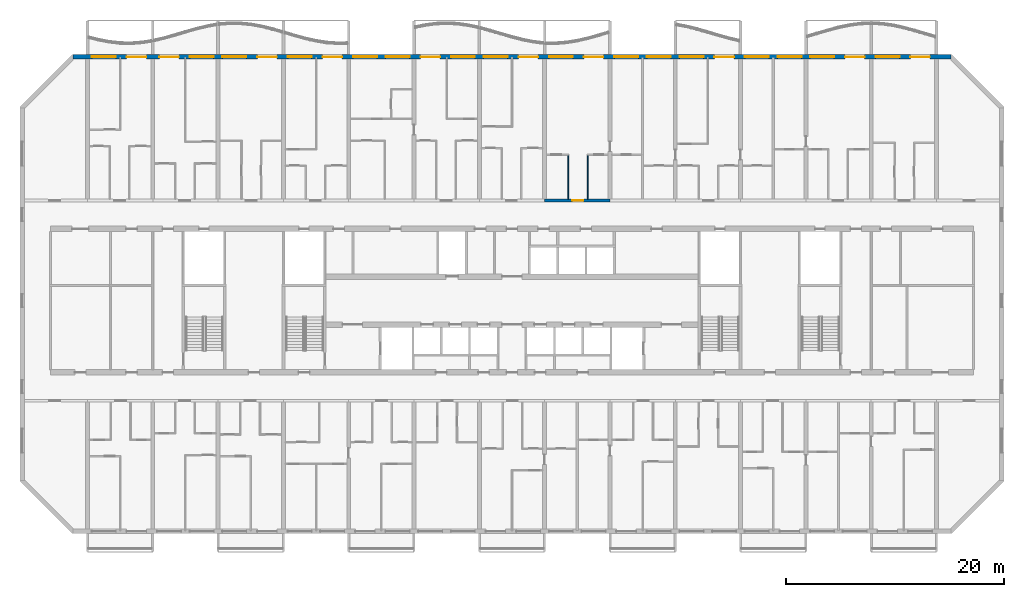
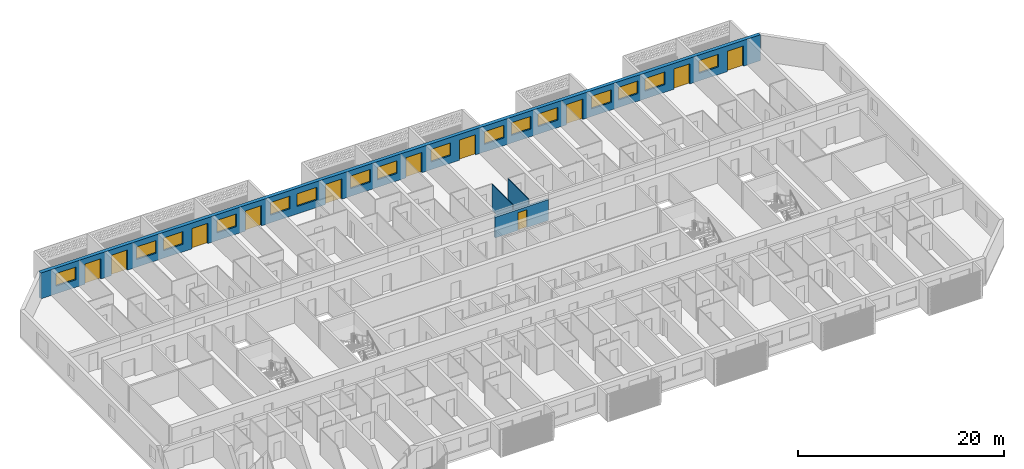
# One storey, part 12 of 26: 16 windows, 11 doors, 4 walls, 27 openings.
"""IFC4 building model written with IfcOpenShell, lengths in metres."""

from ifc_helpers import new_model, si_unit, direction, frame, frame_2d, origin, place, context, subcontext, project, spatial, rectangle, extrude, material, layer, layer_set, type_object, element, fill, save


model = new_model("IFC4")

# Units and contexts
model_context = context("Model", 3, precision=1e-05, world=origin(), true_north=direction((0.0, 1.0)))
body_context = subcontext(model_context, "Body", "Model", "MODEL_VIEW")
ifc_project = project(units=[si_unit("LENGTHUNIT", "METRE"), si_unit("AREAUNIT", "SQUARE_METRE"), si_unit("VOLUMEUNIT", "CUBIC_METRE"), si_unit("PLANEANGLEUNIT", "RADIAN"), si_unit("MASSUNIT", "GRAM", prefix="KILO")], contexts=[model_context])

# Site, building, storey
site_placement = place(None, origin())
site = spatial("IfcSite", under=ifc_project, at=site_placement, CompositionType="ELEMENT")
building_placement = place(site_placement, origin())
building = spatial("IfcBuilding", under=site, at=building_placement, Name="Poui Terraces", CompositionType="ELEMENT")
storey_placement = place(building_placement, frame((0.0, 0.0, 79.5)))
storey = spatial("IfcBuildingStorey", under=building, at=storey_placement, Name="L21", CompositionType="ELEMENT", Elevation=79.5)

# Wall, opening, door
ifc_material_1 = material(Name="Concrete 65 MPa", Category="concrete")
ifc_layer_1 = layer(ifc_material_1, 0.25)
ifc_layer_set_1 = layer_set([ifc_layer_1], Name="Concrete 65 MPa")
wall_type_1 = type_object("IfcWallType", Name="CORRIDOR WALL 250 65MPa", PredefinedType="SHEAR", material=ifc_layer_set_1)
wall_1_placement = place(storey_placement, frame((54.0, 30.39990234375, 0.0), z_axis=(0.0, 0.0, 1.0), x_axis=(1.0, 0.0, 0.0)))
wall_1 = element("IfcWall", 1, at=wall_1_placement, inside=storey, type_object=wall_type_1, Name="CORRIDOR WALL LINE E BAY 9", PredefinedType="SHEAR", context=body_context, shape_type="SweptSolid", body=[
    extrude(rectangle(XDim=6.0, YDim=0.25, at=frame_2d((3.0, 0.0))), origin(), (0.0, 0.0, 1.0), 2.4599609375),
])
opening_1_placement = place(wall_1_placement, frame((2.550048828125, 0.0, 0.0)))
opening_1 = element("IfcOpeningElement", 2, at=opening_1_placement, cuts=wall_1, Name="Opening FD30S", PredefinedType="OPENING", context=body_context, shape_type="SweptSolid", body=[
    extrude(rectangle(XDim=1.0, YDim=2.10009765625, at=frame_2d((0.5, 1.050048828125))), frame((0.0, 0.135009765625, 0.0), z_axis=(0.0, -1.0, 0.0), x_axis=(1.0, 0.0, 0.0)), (0.0, 0.0, 1.0), 0.27001953125),
])
ifc_material_2 = material(Name="Steel fire door", Category="steel")
door_type_1 = type_object("IfcDoorType", Name="FLAT ENTRANCE DOOR 1000 X 2100", OperationType="NOTDEFINED", PredefinedType="DOOR", material=ifc_material_2)
door_1_placement = place(opening_1_placement, origin())
door_1 = element("IfcDoor", 3, at=door_1_placement, inside=storey, type_object=door_type_1, Name="FLAT ENTRANCE DOOR 063", OperationType="SINGLE_SWING_RIGHT", OverallHeight=2.10009765625, OverallWidth=1.0, PredefinedType="DOOR", context=body_context, shape_type="SweptSolid", body=[
    extrude(rectangle(XDim=1.0, YDim=2.10009765625, at=frame_2d((0.5, 1.050048828125))), frame((0.0, 0.02490234375, 0.0), z_axis=(0.0, -1.0, 0.0), x_axis=(1.0, 0.0, 0.0)), (0.0, 0.0, 1.0), 0.050048828125),
])
fill(opening_1, door_1)

# Wall, openings, doors, windows
ifc_material_3 = material(Name="Precast concrete 40 MPa", Category="concrete")
ifc_layer_2 = layer(ifc_material_3, 0.39990234375)
ifc_layer_set_2 = layer_set([ifc_layer_2], Name="Precast concrete 40 MPa")
wall_type_2 = type_object("IfcWallType", Name="EXTERNAL WALL 400", PredefinedType="STANDARD", material=ifc_layer_set_2)
wall_2_placement = place(storey_placement, frame((91.317138671875, 43.60009765625, 0.0), z_axis=(0.0, 0.0, 1.0), x_axis=(-1.0, 0.0, 0.0)))
wall_2 = element("IfcWall", 4, at=wall_2_placement, inside=storey, type_object=wall_type_2, Name="EXTERNAL WALL N", PredefinedType="STANDARD", context=body_context, shape_type="SweptSolid", body=[
    extrude(rectangle(XDim=80.63427734375, YDim=0.39990234375, at=frame_2d((40.317138671875, 0.0))), origin(), (0.0, 0.0, 1.0), 3.06005859375),
])
opening_2_placement = place(wall_2_placement, frame((76.71728515625, 0.0, 0.89990234375)))
opening_2 = element("IfcOpeningElement", 5, at=opening_2_placement, cuts=wall_2, Name="Opening W1", PredefinedType="OPENING", context=body_context, shape_type="SweptSolid", body=[
    extrude(rectangle(XDim=2.199951171875, YDim=1.5, at=frame_2d((1.10009765625, 0.75))), frame((0.0, 0.2099609375, 0.0), z_axis=(0.0, -1.0, 0.0), x_axis=(1.0, 0.0, 0.0)), (0.0, 0.0, 1.0), 0.419921875),
])
opening_3_placement = place(wall_2_placement, frame((73.917236328125, 0.0, 0.0)))
opening_3 = element("IfcOpeningElement", 6, at=opening_3_placement, cuts=wall_2, Name="Opening BD1", PredefinedType="OPENING", context=body_context, shape_type="SweptSolid", body=[
    extrude(rectangle(XDim=1.800048828125, YDim=2.39990234375, at=frame_2d((0.89990234375, 1.199951171875))), frame((0.0, 0.2099609375, 0.0), z_axis=(0.0, -1.0, 0.0), x_axis=(1.0, 0.0, 0.0)), (0.0, 0.0, 1.0), 0.419921875),
])
opening_4_placement = place(wall_2_placement, frame((70.917236328125, 0.0, 0.0)))
opening_4 = element("IfcOpeningElement", 7, at=opening_4_placement, cuts=wall_2, Name="Opening BD1", PredefinedType="OPENING", context=body_context, shape_type="SweptSolid", body=[
    extrude(rectangle(XDim=1.800048828125, YDim=2.39990234375, at=frame_2d((0.89990234375, 1.199951171875))), frame((0.0, 0.2099609375, 0.0), z_axis=(0.0, -1.0, 0.0), x_axis=(1.0, 0.0, 0.0)), (0.0, 0.0, 1.0), 0.419921875),
])
opening_5_placement = place(wall_2_placement, frame((67.71728515625, 0.0, 0.89990234375)))
opening_5 = element("IfcOpeningElement", 8, at=opening_5_placement, cuts=wall_2, Name="Opening W1", PredefinedType="OPENING", context=body_context, shape_type="SweptSolid", body=[
    extrude(rectangle(XDim=2.199951171875, YDim=1.5, at=frame_2d((1.10009765625, 0.75))), frame((0.0, 0.2099609375, 0.0), z_axis=(0.0, -1.0, 0.0), x_axis=(1.0, 0.0, 0.0)), (0.0, 0.0, 1.0), 0.419921875),
])
opening_6_placement = place(wall_2_placement, frame((64.71728515625, 0.0, 0.89990234375)))
opening_6 = element("IfcOpeningElement", 9, at=opening_6_placement, cuts=wall_2, Name="Opening W1", PredefinedType="OPENING", context=body_context, shape_type="SweptSolid", body=[
    extrude(rectangle(XDim=2.199951171875, YDim=1.5, at=frame_2d((1.10009765625, 0.75))), frame((0.0, 0.2099609375, 0.0), z_axis=(0.0, -1.0, 0.0), x_axis=(1.0, 0.0, 0.0)), (0.0, 0.0, 1.0), 0.419921875),
])
opening_7_placement = place(wall_2_placement, frame((61.917236328125, 0.0, 0.0)))
opening_7 = element("IfcOpeningElement", 10, at=opening_7_placement, cuts=wall_2, Name="Opening BD1", PredefinedType="OPENING", context=body_context, shape_type="SweptSolid", body=[
    extrude(rectangle(XDim=1.800048828125, YDim=2.39990234375, at=frame_2d((0.89990234375, 1.199951171875))), frame((0.0, 0.2099609375, 0.0), z_axis=(0.0, -1.0, 0.0), x_axis=(1.0, 0.0, 0.0)), (0.0, 0.0, 1.0), 0.419921875),
])
opening_8_placement = place(wall_2_placement, frame((58.71728515625, 0.0, 0.89990234375)))
opening_8 = element("IfcOpeningElement", 11, at=opening_8_placement, cuts=wall_2, Name="Opening W1", PredefinedType="OPENING", context=body_context, shape_type="SweptSolid", body=[
    extrude(rectangle(XDim=2.199951171875, YDim=1.5, at=frame_2d((1.10009765625, 0.75))), frame((0.0, 0.2099609375, 0.0), z_axis=(0.0, -1.0, 0.0), x_axis=(1.0, 0.0, 0.0)), (0.0, 0.0, 1.0), 0.419921875),
])
opening_9_placement = place(wall_2_placement, frame((55.917236328125, 0.0, 0.0)))
opening_9 = element("IfcOpeningElement", 12, at=opening_9_placement, cuts=wall_2, Name="Opening BD1", PredefinedType="OPENING", context=body_context, shape_type="SweptSolid", body=[
    extrude(rectangle(XDim=1.800048828125, YDim=2.39990234375, at=frame_2d((0.89990234375, 1.199951171875))), frame((0.0, 0.2099609375, 0.0), z_axis=(0.0, -1.0, 0.0), x_axis=(1.0, 0.0, 0.0)), (0.0, 0.0, 1.0), 0.419921875),
])
opening_10_placement = place(wall_2_placement, frame((52.71728515625, 0.0, 0.89990234375)))
opening_10 = element("IfcOpeningElement", 13, at=opening_10_placement, cuts=wall_2, Name="Opening W1", PredefinedType="OPENING", context=body_context, shape_type="SweptSolid", body=[
    extrude(rectangle(XDim=2.199951171875, YDim=1.5, at=frame_2d((1.10009765625, 0.75))), frame((0.0, 0.2099609375, 0.0), z_axis=(0.0, -1.0, 0.0), x_axis=(1.0, 0.0, 0.0)), (0.0, 0.0, 1.0), 0.419921875),
])
opening_11_placement = place(wall_2_placement, frame((49.71728515625, 0.0, 0.89990234375)))
opening_11 = element("IfcOpeningElement", 14, at=opening_11_placement, cuts=wall_2, Name="Opening W1", PredefinedType="OPENING", context=body_context, shape_type="SweptSolid", body=[
    extrude(rectangle(XDim=2.199951171875, YDim=1.5, at=frame_2d((1.10009765625, 0.75))), frame((0.0, 0.2099609375, 0.0), z_axis=(0.0, -1.0, 0.0), x_axis=(1.0, 0.0, 0.0)), (0.0, 0.0, 1.0), 0.419921875),
])
opening_12_placement = place(wall_2_placement, frame((46.917236328125, 0.0, 0.0)))
opening_12 = element("IfcOpeningElement", 15, at=opening_12_placement, cuts=wall_2, Name="Opening BD1", PredefinedType="OPENING", context=body_context, shape_type="SweptSolid", body=[
    extrude(rectangle(XDim=1.800048828125, YDim=2.39990234375, at=frame_2d((0.89990234375, 1.199951171875))), frame((0.0, 0.2099609375, 0.0), z_axis=(0.0, -1.0, 0.0), x_axis=(1.0, 0.0, 0.0)), (0.0, 0.0, 1.0), 0.419921875),
])
opening_13_placement = place(wall_2_placement, frame((43.71728515625, 0.0, 0.89990234375)))
opening_13 = element("IfcOpeningElement", 16, at=opening_13_placement, cuts=wall_2, Name="Opening W1", PredefinedType="OPENING", context=body_context, shape_type="SweptSolid", body=[
    extrude(rectangle(XDim=2.199951171875, YDim=1.5, at=frame_2d((1.10009765625, 0.75))), frame((0.0, 0.2099609375, 0.0), z_axis=(0.0, -1.0, 0.0), x_axis=(1.0, 0.0, 0.0)), (0.0, 0.0, 1.0), 0.419921875),
])
opening_14_placement = place(wall_2_placement, frame((40.71728515625, 0.0, 0.89990234375)))
opening_14 = element("IfcOpeningElement", 17, at=opening_14_placement, cuts=wall_2, Name="Opening W1", PredefinedType="OPENING", context=body_context, shape_type="SweptSolid", body=[
    extrude(rectangle(XDim=2.199951171875, YDim=1.5, at=frame_2d((1.10009765625, 0.75))), frame((0.0, 0.2099609375, 0.0), z_axis=(0.0, -1.0, 0.0), x_axis=(1.0, 0.0, 0.0)), (0.0, 0.0, 1.0), 0.419921875),
])
opening_15_placement = place(wall_2_placement, frame((37.917236328125, 0.0, 0.0)))
opening_15 = element("IfcOpeningElement", 18, at=opening_15_placement, cuts=wall_2, Name="Opening BD1", PredefinedType="OPENING", context=body_context, shape_type="SweptSolid", body=[
    extrude(rectangle(XDim=1.800048828125, YDim=2.39990234375, at=frame_2d((0.89990234375, 1.199951171875))), frame((0.0, 0.2099609375, 0.0), z_axis=(0.0, -1.0, 0.0), x_axis=(1.0, 0.0, 0.0)), (0.0, 0.0, 1.0), 0.419921875),
])
opening_16_placement = place(wall_2_placement, frame((34.71728515625, 0.0, 0.89990234375)))
opening_16 = element("IfcOpeningElement", 19, at=opening_16_placement, cuts=wall_2, Name="Opening W1", PredefinedType="OPENING", context=body_context, shape_type="SweptSolid", body=[
    extrude(rectangle(XDim=2.199951171875, YDim=1.5, at=frame_2d((1.10009765625, 0.75))), frame((0.0, 0.2099609375, 0.0), z_axis=(0.0, -1.0, 0.0), x_axis=(1.0, 0.0, 0.0)), (0.0, 0.0, 1.0), 0.419921875),
])
opening_17_placement = place(wall_2_placement, frame((31.917236328125, 0.0, 0.0)))
opening_17 = element("IfcOpeningElement", 20, at=opening_17_placement, cuts=wall_2, Name="Opening BD1", PredefinedType="OPENING", context=body_context, shape_type="SweptSolid", body=[
    extrude(rectangle(XDim=1.800048828125, YDim=2.39990234375, at=frame_2d((0.89990234375, 1.199951171875))), frame((0.0, 0.2099609375, 0.0), z_axis=(0.0, -1.0, 0.0), x_axis=(1.0, 0.0, 0.0)), (0.0, 0.0, 1.0), 0.419921875),
])
opening_18_placement = place(wall_2_placement, frame((28.71728515625, 0.0, 0.89990234375)))
opening_18 = element("IfcOpeningElement", 21, at=opening_18_placement, cuts=wall_2, Name="Opening W1", PredefinedType="OPENING", context=body_context, shape_type="SweptSolid", body=[
    extrude(rectangle(XDim=2.199951171875, YDim=1.5, at=frame_2d((1.10009765625, 0.75))), frame((0.0, 0.2099609375, 0.0), z_axis=(0.0, -1.0, 0.0), x_axis=(1.0, 0.0, 0.0)), (0.0, 0.0, 1.0), 0.419921875),
])
opening_19_placement = place(wall_2_placement, frame((25.71728515625, 0.0, 0.89990234375)))
opening_19 = element("IfcOpeningElement", 22, at=opening_19_placement, cuts=wall_2, Name="Opening W1", PredefinedType="OPENING", context=body_context, shape_type="SweptSolid", body=[
    extrude(rectangle(XDim=2.199951171875, YDim=1.5, at=frame_2d((1.10009765625, 0.75))), frame((0.0, 0.2099609375, 0.0), z_axis=(0.0, -1.0, 0.0), x_axis=(1.0, 0.0, 0.0)), (0.0, 0.0, 1.0), 0.419921875),
])
opening_20_placement = place(wall_2_placement, frame((22.71728515625, 0.0, 0.89990234375)))
opening_20 = element("IfcOpeningElement", 23, at=opening_20_placement, cuts=wall_2, Name="Opening W1", PredefinedType="OPENING", context=body_context, shape_type="SweptSolid", body=[
    extrude(rectangle(XDim=2.199951171875, YDim=1.5, at=frame_2d((1.10009765625, 0.75))), frame((0.0, 0.2099609375, 0.0), z_axis=(0.0, -1.0, 0.0), x_axis=(1.0, 0.0, 0.0)), (0.0, 0.0, 1.0), 0.419921875),
])
opening_21_placement = place(wall_2_placement, frame((19.917236328125, 0.0, 0.0)))
opening_21 = element("IfcOpeningElement", 24, at=opening_21_placement, cuts=wall_2, Name="Opening BD1", PredefinedType="OPENING", context=body_context, shape_type="SweptSolid", body=[
    extrude(rectangle(XDim=1.800048828125, YDim=2.39990234375, at=frame_2d((0.89990234375, 1.199951171875))), frame((0.0, 0.2099609375, 0.0), z_axis=(0.0, -1.0, 0.0), x_axis=(1.0, 0.0, 0.0)), (0.0, 0.0, 1.0), 0.419921875),
])
opening_22_placement = place(wall_2_placement, frame((16.71728515625, 0.0, 0.89990234375)))
opening_22 = element("IfcOpeningElement", 25, at=opening_22_placement, cuts=wall_2, Name="Opening W1", PredefinedType="OPENING", context=body_context, shape_type="SweptSolid", body=[
    extrude(rectangle(XDim=2.199951171875, YDim=1.5, at=frame_2d((1.10009765625, 0.75))), frame((0.0, 0.2099609375, 0.0), z_axis=(0.0, -1.0, 0.0), x_axis=(1.0, 0.0, 0.0)), (0.0, 0.0, 1.0), 0.419921875),
])
opening_23_placement = place(wall_2_placement, frame((13.71728515625, 0.0, 0.89990234375)))
opening_23 = element("IfcOpeningElement", 26, at=opening_23_placement, cuts=wall_2, Name="Opening W1", PredefinedType="OPENING", context=body_context, shape_type="SweptSolid", body=[
    extrude(rectangle(XDim=2.199951171875, YDim=1.5, at=frame_2d((1.10009765625, 0.75))), frame((0.0, 0.2099609375, 0.0), z_axis=(0.0, -1.0, 0.0), x_axis=(1.0, 0.0, 0.0)), (0.0, 0.0, 1.0), 0.419921875),
])
opening_24_placement = place(wall_2_placement, frame((10.71728515625, 0.0, 0.89990234375)))
opening_24 = element("IfcOpeningElement", 27, at=opening_24_placement, cuts=wall_2, Name="Opening W1", PredefinedType="OPENING", context=body_context, shape_type="SweptSolid", body=[
    extrude(rectangle(XDim=2.199951171875, YDim=1.5, at=frame_2d((1.10009765625, 0.75))), frame((0.0, 0.2099609375, 0.0), z_axis=(0.0, -1.0, 0.0), x_axis=(1.0, 0.0, 0.0)), (0.0, 0.0, 1.0), 0.419921875),
])
opening_25_placement = place(wall_2_placement, frame((7.917236328125, 0.0, 0.0)))
opening_25 = element("IfcOpeningElement", 28, at=opening_25_placement, cuts=wall_2, Name="Opening BD1", PredefinedType="OPENING", context=body_context, shape_type="SweptSolid", body=[
    extrude(rectangle(XDim=1.800048828125, YDim=2.39990234375, at=frame_2d((0.89990234375, 1.199951171875))), frame((0.0, 0.2099609375, 0.0), z_axis=(0.0, -1.0, 0.0), x_axis=(1.0, 0.0, 0.0)), (0.0, 0.0, 1.0), 0.419921875),
])
opening_26_placement = place(wall_2_placement, frame((4.71728515625, 0.0, 0.89990234375)))
opening_26 = element("IfcOpeningElement", 29, at=opening_26_placement, cuts=wall_2, Name="Opening W1", PredefinedType="OPENING", context=body_context, shape_type="SweptSolid", body=[
    extrude(rectangle(XDim=2.199951171875, YDim=1.5, at=frame_2d((1.10009765625, 0.75))), frame((0.0, 0.2099609375, 0.0), z_axis=(0.0, -1.0, 0.0), x_axis=(1.0, 0.0, 0.0)), (0.0, 0.0, 1.0), 0.419921875),
])
opening_27_placement = place(wall_2_placement, frame((1.917236328125, 0.0, 0.0)))
opening_27 = element("IfcOpeningElement", 30, at=opening_27_placement, cuts=wall_2, Name="Opening BD1", PredefinedType="OPENING", context=body_context, shape_type="SweptSolid", body=[
    extrude(rectangle(XDim=1.800048828125, YDim=2.39990234375, at=frame_2d((0.89990234375, 1.199951171875))), frame((0.0, 0.2099609375, 0.0), z_axis=(0.0, -1.0, 0.0), x_axis=(1.0, 0.0, 0.0)), (0.0, 0.0, 1.0), 0.419921875),
])
ifc_material_4 = material(Name="Clear glass in aluminium frame", Category="aluminium")
door_type_2 = type_object("IfcDoorType", Name="BALCONY DOOR 1800X2400", OperationType="DOUBLE_DOOR_SLIDING", PredefinedType="DOOR", material=ifc_material_4)
door_2_placement = place(opening_3_placement, origin())
door_2 = element("IfcDoor", 31, at=door_2_placement, inside=storey, type_object=door_type_2, Name="BD1 BALCONY DOOR", OperationType="DOUBLE_DOOR_SLIDING", OverallHeight=2.39990234375, OverallWidth=1.800048828125, PredefinedType="DOOR", context=body_context, shape_type="SweptSolid", body=[
    extrude(rectangle(XDim=1.800048828125, YDim=2.39990234375, at=frame_2d((0.89990234375, 1.199951171875))), frame((0.0, 0.02490234375, 0.0), z_axis=(0.0, -1.0, 0.0), x_axis=(1.0, 0.0, 0.0)), (0.0, 0.0, 1.0), 0.050048828125),
])
fill(opening_3, door_2)
door_3_placement = place(opening_4_placement, origin())
door_3 = element("IfcDoor", 32, at=door_3_placement, inside=storey, type_object=door_type_2, Name="BD1 BALCONY DOOR", OperationType="DOUBLE_DOOR_SLIDING", OverallHeight=2.39990234375, OverallWidth=1.800048828125, PredefinedType="DOOR", context=body_context, shape_type="SweptSolid", body=[
    extrude(rectangle(XDim=1.800048828125, YDim=2.39990234375, at=frame_2d((0.89990234375, 1.199951171875))), frame((0.0, 0.02490234375, 0.0), z_axis=(0.0, -1.0, 0.0), x_axis=(1.0, 0.0, 0.0)), (0.0, 0.0, 1.0), 0.050048828125),
])
fill(opening_4, door_3)
door_4_placement = place(opening_7_placement, origin())
door_4 = element("IfcDoor", 33, at=door_4_placement, inside=storey, type_object=door_type_2, Name="BD1 BALCONY DOOR", OperationType="DOUBLE_DOOR_SLIDING", OverallHeight=2.39990234375, OverallWidth=1.800048828125, PredefinedType="DOOR", context=body_context, shape_type="SweptSolid", body=[
    extrude(rectangle(XDim=1.800048828125, YDim=2.39990234375, at=frame_2d((0.89990234375, 1.199951171875))), frame((0.0, 0.02490234375, 0.0), z_axis=(0.0, -1.0, 0.0), x_axis=(1.0, 0.0, 0.0)), (0.0, 0.0, 1.0), 0.050048828125),
])
fill(opening_7, door_4)
door_5_placement = place(opening_9_placement, origin())
door_5 = element("IfcDoor", 34, at=door_5_placement, inside=storey, type_object=door_type_2, Name="BD1 BALCONY DOOR", OperationType="DOUBLE_DOOR_SLIDING", OverallHeight=2.39990234375, OverallWidth=1.800048828125, PredefinedType="DOOR", context=body_context, shape_type="SweptSolid", body=[
    extrude(rectangle(XDim=1.800048828125, YDim=2.39990234375, at=frame_2d((0.89990234375, 1.199951171875))), frame((0.0, 0.02490234375, 0.0), z_axis=(0.0, -1.0, 0.0), x_axis=(1.0, 0.0, 0.0)), (0.0, 0.0, 1.0), 0.050048828125),
])
fill(opening_9, door_5)
door_6_placement = place(opening_12_placement, origin())
door_6 = element("IfcDoor", 35, at=door_6_placement, inside=storey, type_object=door_type_2, Name="BD1 BALCONY DOOR", OperationType="DOUBLE_DOOR_SLIDING", OverallHeight=2.39990234375, OverallWidth=1.800048828125, PredefinedType="DOOR", context=body_context, shape_type="SweptSolid", body=[
    extrude(rectangle(XDim=1.800048828125, YDim=2.39990234375, at=frame_2d((0.89990234375, 1.199951171875))), frame((0.0, 0.02490234375, 0.0), z_axis=(0.0, -1.0, 0.0), x_axis=(1.0, 0.0, 0.0)), (0.0, 0.0, 1.0), 0.050048828125),
])
fill(opening_12, door_6)
door_7_placement = place(opening_15_placement, origin())
door_7 = element("IfcDoor", 36, at=door_7_placement, inside=storey, type_object=door_type_2, Name="BD1 BALCONY DOOR", OperationType="DOUBLE_DOOR_SLIDING", OverallHeight=2.39990234375, OverallWidth=1.800048828125, PredefinedType="DOOR", context=body_context, shape_type="SweptSolid", body=[
    extrude(rectangle(XDim=1.800048828125, YDim=2.39990234375, at=frame_2d((0.89990234375, 1.199951171875))), frame((0.0, 0.02490234375, 0.0), z_axis=(0.0, -1.0, 0.0), x_axis=(1.0, 0.0, 0.0)), (0.0, 0.0, 1.0), 0.050048828125),
])
fill(opening_15, door_7)
door_8_placement = place(opening_17_placement, origin())
door_8 = element("IfcDoor", 37, at=door_8_placement, inside=storey, type_object=door_type_2, Name="BD1 BALCONY DOOR", OperationType="DOUBLE_DOOR_SLIDING", OverallHeight=2.39990234375, OverallWidth=1.800048828125, PredefinedType="DOOR", context=body_context, shape_type="SweptSolid", body=[
    extrude(rectangle(XDim=1.800048828125, YDim=2.39990234375, at=frame_2d((0.89990234375, 1.199951171875))), frame((0.0, 0.02490234375, 0.0), z_axis=(0.0, -1.0, 0.0), x_axis=(1.0, 0.0, 0.0)), (0.0, 0.0, 1.0), 0.050048828125),
])
fill(opening_17, door_8)
door_9_placement = place(opening_21_placement, origin())
door_9 = element("IfcDoor", 38, at=door_9_placement, inside=storey, type_object=door_type_2, Name="BD1 BALCONY DOOR", OperationType="DOUBLE_DOOR_SLIDING", OverallHeight=2.39990234375, OverallWidth=1.800048828125, PredefinedType="DOOR", context=body_context, shape_type="SweptSolid", body=[
    extrude(rectangle(XDim=1.800048828125, YDim=2.39990234375, at=frame_2d((0.89990234375, 1.199951171875))), frame((0.0, 0.02490234375, 0.0), z_axis=(0.0, -1.0, 0.0), x_axis=(1.0, 0.0, 0.0)), (0.0, 0.0, 1.0), 0.050048828125),
])
fill(opening_21, door_9)
door_10_placement = place(opening_25_placement, origin())
door_10 = element("IfcDoor", 39, at=door_10_placement, inside=storey, type_object=door_type_2, Name="BD1 BALCONY DOOR", OperationType="DOUBLE_DOOR_SLIDING", OverallHeight=2.39990234375, OverallWidth=1.800048828125, PredefinedType="DOOR", context=body_context, shape_type="SweptSolid", body=[
    extrude(rectangle(XDim=1.800048828125, YDim=2.39990234375, at=frame_2d((0.89990234375, 1.199951171875))), frame((0.0, 0.02490234375, 0.0), z_axis=(0.0, -1.0, 0.0), x_axis=(1.0, 0.0, 0.0)), (0.0, 0.0, 1.0), 0.050048828125),
])
fill(opening_25, door_10)
door_11_placement = place(opening_27_placement, origin())
door_11 = element("IfcDoor", 40, at=door_11_placement, inside=storey, type_object=door_type_2, Name="BD1 BALCONY DOOR", OperationType="DOUBLE_DOOR_SLIDING", OverallHeight=2.39990234375, OverallWidth=1.800048828125, PredefinedType="DOOR", context=body_context, shape_type="SweptSolid", body=[
    extrude(rectangle(XDim=1.800048828125, YDim=2.39990234375, at=frame_2d((0.89990234375, 1.199951171875))), frame((0.0, 0.02490234375, 0.0), z_axis=(0.0, -1.0, 0.0), x_axis=(1.0, 0.0, 0.0)), (0.0, 0.0, 1.0), 0.050048828125),
])
fill(opening_27, door_11)
window_type = type_object("IfcWindowType", Name="WINDOW 2200X1500", PartitioningType="DOUBLE_PANEL_HORIZONTAL", PredefinedType="WINDOW", material=ifc_material_4)
window_1_placement = place(opening_2_placement, origin())
window_1 = element("IfcWindow", 41, at=window_1_placement, inside=storey, type_object=window_type, Name="W1 WINDOW", OverallHeight=1.5, OverallWidth=2.199951171875, PartitioningType="DOUBLE_PANEL_HORIZONTAL", PredefinedType="WINDOW", context=body_context, shape_type="SweptSolid", body=[
    extrude(rectangle(XDim=2.199951171875, YDim=1.5, at=frame_2d((1.10009765625, 0.75))), frame((0.0, 0.030029296875, 0.0), z_axis=(0.0, -1.0, 0.0), x_axis=(1.0, 0.0, 0.0)), (0.0, 0.0, 1.0), 0.06005859375),
])
fill(opening_2, window_1)
window_2_placement = place(opening_5_placement, origin())
window_2 = element("IfcWindow", 42, at=window_2_placement, inside=storey, type_object=window_type, Name="W1 WINDOW", OverallHeight=1.5, OverallWidth=2.199951171875, PartitioningType="DOUBLE_PANEL_HORIZONTAL", PredefinedType="WINDOW", context=body_context, shape_type="SweptSolid", body=[
    extrude(rectangle(XDim=2.199951171875, YDim=1.5, at=frame_2d((1.10009765625, 0.75))), frame((0.0, 0.030029296875, 0.0), z_axis=(0.0, -1.0, 0.0), x_axis=(1.0, 0.0, 0.0)), (0.0, 0.0, 1.0), 0.06005859375),
])
fill(opening_5, window_2)
window_3_placement = place(opening_6_placement, origin())
window_3 = element("IfcWindow", 43, at=window_3_placement, inside=storey, type_object=window_type, Name="W1 WINDOW", OverallHeight=1.5, OverallWidth=2.199951171875, PartitioningType="DOUBLE_PANEL_HORIZONTAL", PredefinedType="WINDOW", context=body_context, shape_type="SweptSolid", body=[
    extrude(rectangle(XDim=2.199951171875, YDim=1.5, at=frame_2d((1.10009765625, 0.75))), frame((0.0, 0.030029296875, 0.0), z_axis=(0.0, -1.0, 0.0), x_axis=(1.0, 0.0, 0.0)), (0.0, 0.0, 1.0), 0.06005859375),
])
fill(opening_6, window_3)
window_4_placement = place(opening_8_placement, origin())
window_4 = element("IfcWindow", 44, at=window_4_placement, inside=storey, type_object=window_type, Name="W1 WINDOW", OverallHeight=1.5, OverallWidth=2.199951171875, PartitioningType="DOUBLE_PANEL_HORIZONTAL", PredefinedType="WINDOW", context=body_context, shape_type="SweptSolid", body=[
    extrude(rectangle(XDim=2.199951171875, YDim=1.5, at=frame_2d((1.10009765625, 0.75))), frame((0.0, 0.030029296875, 0.0), z_axis=(0.0, -1.0, 0.0), x_axis=(1.0, 0.0, 0.0)), (0.0, 0.0, 1.0), 0.06005859375),
])
fill(opening_8, window_4)
window_5_placement = place(opening_10_placement, origin())
window_5 = element("IfcWindow", 45, at=window_5_placement, inside=storey, type_object=window_type, Name="W1 WINDOW", OverallHeight=1.5, OverallWidth=2.199951171875, PartitioningType="DOUBLE_PANEL_HORIZONTAL", PredefinedType="WINDOW", context=body_context, shape_type="SweptSolid", body=[
    extrude(rectangle(XDim=2.199951171875, YDim=1.5, at=frame_2d((1.10009765625, 0.75))), frame((0.0, 0.030029296875, 0.0), z_axis=(0.0, -1.0, 0.0), x_axis=(1.0, 0.0, 0.0)), (0.0, 0.0, 1.0), 0.06005859375),
])
fill(opening_10, window_5)
window_6_placement = place(opening_11_placement, origin())
window_6 = element("IfcWindow", 46, at=window_6_placement, inside=storey, type_object=window_type, Name="W1 WINDOW", OverallHeight=1.5, OverallWidth=2.199951171875, PartitioningType="DOUBLE_PANEL_HORIZONTAL", PredefinedType="WINDOW", context=body_context, shape_type="SweptSolid", body=[
    extrude(rectangle(XDim=2.199951171875, YDim=1.5, at=frame_2d((1.10009765625, 0.75))), frame((0.0, 0.030029296875, 0.0), z_axis=(0.0, -1.0, 0.0), x_axis=(1.0, 0.0, 0.0)), (0.0, 0.0, 1.0), 0.06005859375),
])
fill(opening_11, window_6)
window_7_placement = place(opening_13_placement, origin())
window_7 = element("IfcWindow", 47, at=window_7_placement, inside=storey, type_object=window_type, Name="W1 WINDOW", OverallHeight=1.5, OverallWidth=2.199951171875, PartitioningType="DOUBLE_PANEL_HORIZONTAL", PredefinedType="WINDOW", context=body_context, shape_type="SweptSolid", body=[
    extrude(rectangle(XDim=2.199951171875, YDim=1.5, at=frame_2d((1.10009765625, 0.75))), frame((0.0, 0.030029296875, 0.0), z_axis=(0.0, -1.0, 0.0), x_axis=(1.0, 0.0, 0.0)), (0.0, 0.0, 1.0), 0.06005859375),
])
fill(opening_13, window_7)
window_8_placement = place(opening_14_placement, origin())
window_8 = element("IfcWindow", 48, at=window_8_placement, inside=storey, type_object=window_type, Name="W1 WINDOW", OverallHeight=1.5, OverallWidth=2.199951171875, PartitioningType="DOUBLE_PANEL_HORIZONTAL", PredefinedType="WINDOW", context=body_context, shape_type="SweptSolid", body=[
    extrude(rectangle(XDim=2.199951171875, YDim=1.5, at=frame_2d((1.10009765625, 0.75))), frame((0.0, 0.030029296875, 0.0), z_axis=(0.0, -1.0, 0.0), x_axis=(1.0, 0.0, 0.0)), (0.0, 0.0, 1.0), 0.06005859375),
])
fill(opening_14, window_8)
window_9_placement = place(opening_16_placement, origin())
window_9 = element("IfcWindow", 49, at=window_9_placement, inside=storey, type_object=window_type, Name="W1 WINDOW", OverallHeight=1.5, OverallWidth=2.199951171875, PartitioningType="DOUBLE_PANEL_HORIZONTAL", PredefinedType="WINDOW", context=body_context, shape_type="SweptSolid", body=[
    extrude(rectangle(XDim=2.199951171875, YDim=1.5, at=frame_2d((1.10009765625, 0.75))), frame((0.0, 0.030029296875, 0.0), z_axis=(0.0, -1.0, 0.0), x_axis=(1.0, 0.0, 0.0)), (0.0, 0.0, 1.0), 0.06005859375),
])
fill(opening_16, window_9)
window_10_placement = place(opening_18_placement, origin())
window_10 = element("IfcWindow", 50, at=window_10_placement, inside=storey, type_object=window_type, Name="W1 WINDOW", OverallHeight=1.5, OverallWidth=2.199951171875, PartitioningType="DOUBLE_PANEL_HORIZONTAL", PredefinedType="WINDOW", context=body_context, shape_type="SweptSolid", body=[
    extrude(rectangle(XDim=2.199951171875, YDim=1.5, at=frame_2d((1.10009765625, 0.75))), frame((0.0, 0.030029296875, 0.0), z_axis=(0.0, -1.0, 0.0), x_axis=(1.0, 0.0, 0.0)), (0.0, 0.0, 1.0), 0.06005859375),
])
fill(opening_18, window_10)
window_11_placement = place(opening_19_placement, origin())
window_11 = element("IfcWindow", 51, at=window_11_placement, inside=storey, type_object=window_type, Name="W1 WINDOW", OverallHeight=1.5, OverallWidth=2.199951171875, PartitioningType="DOUBLE_PANEL_HORIZONTAL", PredefinedType="WINDOW", context=body_context, shape_type="SweptSolid", body=[
    extrude(rectangle(XDim=2.199951171875, YDim=1.5, at=frame_2d((1.10009765625, 0.75))), frame((0.0, 0.030029296875, 0.0), z_axis=(0.0, -1.0, 0.0), x_axis=(1.0, 0.0, 0.0)), (0.0, 0.0, 1.0), 0.06005859375),
])
fill(opening_19, window_11)
window_12_placement = place(opening_20_placement, origin())
window_12 = element("IfcWindow", 52, at=window_12_placement, inside=storey, type_object=window_type, Name="W1 WINDOW", OverallHeight=1.5, OverallWidth=2.199951171875, PartitioningType="DOUBLE_PANEL_HORIZONTAL", PredefinedType="WINDOW", context=body_context, shape_type="SweptSolid", body=[
    extrude(rectangle(XDim=2.199951171875, YDim=1.5, at=frame_2d((1.10009765625, 0.75))), frame((0.0, 0.030029296875, 0.0), z_axis=(0.0, -1.0, 0.0), x_axis=(1.0, 0.0, 0.0)), (0.0, 0.0, 1.0), 0.06005859375),
])
fill(opening_20, window_12)
window_13_placement = place(opening_22_placement, origin())
window_13 = element("IfcWindow", 53, at=window_13_placement, inside=storey, type_object=window_type, Name="W1 WINDOW", OverallHeight=1.5, OverallWidth=2.199951171875, PartitioningType="DOUBLE_PANEL_HORIZONTAL", PredefinedType="WINDOW", context=body_context, shape_type="SweptSolid", body=[
    extrude(rectangle(XDim=2.199951171875, YDim=1.5, at=frame_2d((1.10009765625, 0.75))), frame((0.0, 0.030029296875, 0.0), z_axis=(0.0, -1.0, 0.0), x_axis=(1.0, 0.0, 0.0)), (0.0, 0.0, 1.0), 0.06005859375),
])
fill(opening_22, window_13)
window_14_placement = place(opening_23_placement, origin())
window_14 = element("IfcWindow", 54, at=window_14_placement, inside=storey, type_object=window_type, Name="W1 WINDOW", OverallHeight=1.5, OverallWidth=2.199951171875, PartitioningType="DOUBLE_PANEL_HORIZONTAL", PredefinedType="WINDOW", context=body_context, shape_type="SweptSolid", body=[
    extrude(rectangle(XDim=2.199951171875, YDim=1.5, at=frame_2d((1.10009765625, 0.75))), frame((0.0, 0.030029296875, 0.0), z_axis=(0.0, -1.0, 0.0), x_axis=(1.0, 0.0, 0.0)), (0.0, 0.0, 1.0), 0.06005859375),
])
fill(opening_23, window_14)
window_15_placement = place(opening_24_placement, origin())
window_15 = element("IfcWindow", 55, at=window_15_placement, inside=storey, type_object=window_type, Name="W1 WINDOW", OverallHeight=1.5, OverallWidth=2.199951171875, PartitioningType="DOUBLE_PANEL_HORIZONTAL", PredefinedType="WINDOW", context=body_context, shape_type="SweptSolid", body=[
    extrude(rectangle(XDim=2.199951171875, YDim=1.5, at=frame_2d((1.10009765625, 0.75))), frame((0.0, 0.030029296875, 0.0), z_axis=(0.0, -1.0, 0.0), x_axis=(1.0, 0.0, 0.0)), (0.0, 0.0, 1.0), 0.06005859375),
])
fill(opening_24, window_15)
window_16_placement = place(opening_26_placement, origin())
window_16 = element("IfcWindow", 56, at=window_16_placement, inside=storey, type_object=window_type, Name="W1 WINDOW", OverallHeight=1.5, OverallWidth=2.199951171875, PartitioningType="DOUBLE_PANEL_HORIZONTAL", PredefinedType="WINDOW", context=body_context, shape_type="SweptSolid", body=[
    extrude(rectangle(XDim=2.199951171875, YDim=1.5, at=frame_2d((1.10009765625, 0.75))), frame((0.0, 0.030029296875, 0.0), z_axis=(0.0, -1.0, 0.0), x_axis=(1.0, 0.0, 0.0)), (0.0, 0.0, 1.0), 0.06005859375),
])
fill(opening_26, window_16)

# Walls
ifc_material_5 = material(Name="Plasterboard partition")
ifc_layer_3 = layer(ifc_material_5, 0.10009765625)
ifc_layer_set_3 = layer_set([ifc_layer_3], Name="Plasterboard partition")
wall_type_3 = type_object("IfcWallType", Name="FLAT PARTITION 100", PredefinedType="PARTITIONING", material=ifc_layer_set_3)
for number, where, z_axis, x_axis, name in (
    (57, (56.14990234375, 30.534912109375, 0.0), (0.0, 0.0, 1.0), (0.0, 1.0, 0.0), "FLAT PARTITION 100"),
    (58, (57.949951171875, 30.534912109375, 0.0), (0.0, 0.0, 1.0), (0.0, 1.0, 0.0), "FLAT PARTITION 100"),
):
    element("IfcWall", number, at=place(storey_placement, frame(where, z_axis=z_axis, x_axis=x_axis)), inside=storey, type_object=wall_type_3, Name=name, PredefinedType="PARTITIONING", context=body_context, shape_type="SweptSolid", body=[
        extrude(rectangle(XDim=4.01513671875, YDim=0.10009765625, at=frame_2d((2.007568359375, 0.0))), origin(), (0.0, 0.0, 1.0), 3.06005859375),
    ])

save(model, "model.ifc")
